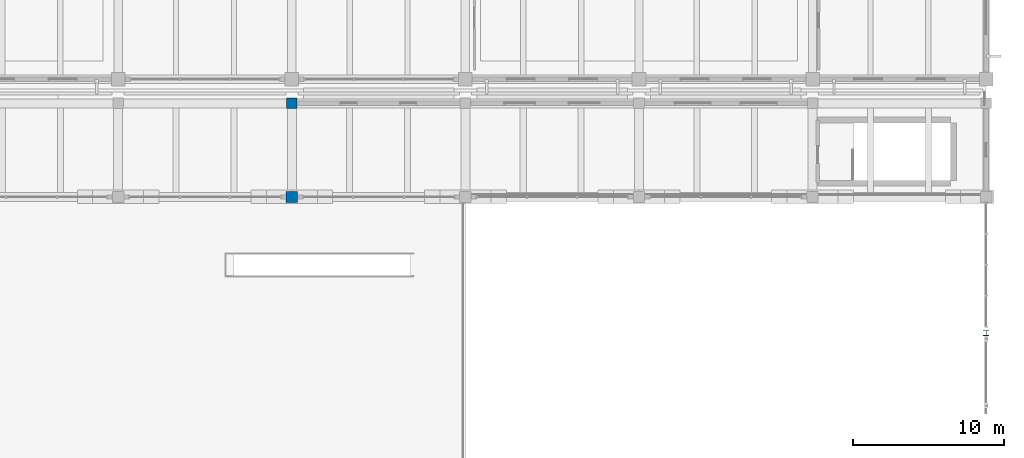
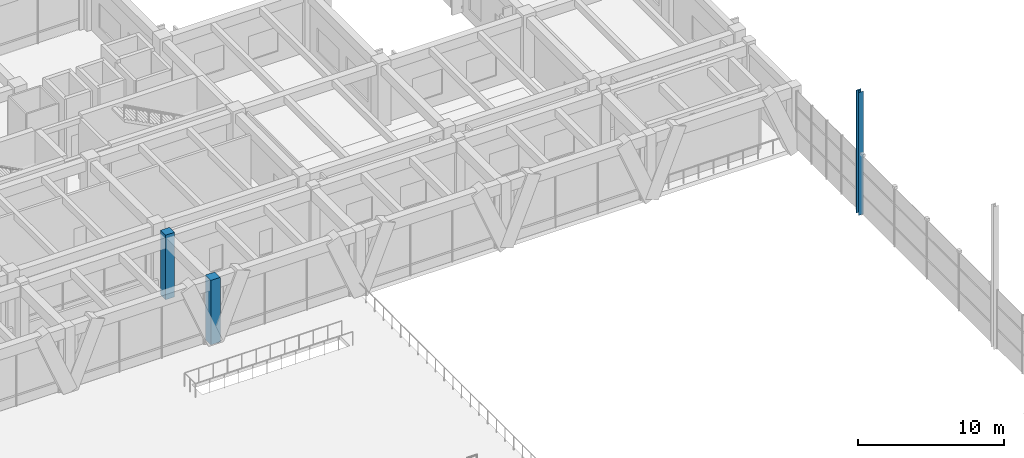
# One storey, part 5 of 148: 3 columns.
"""IFC4 building model written with IfcOpenShell, lengths in metres."""

from ifc_helpers import new_model, si_unit, direction, frame, origin, origin_2d, place, context, subcontext, project, spatial, rectangle, i_section, extrude, material, material_profile, profile_set, type_object, element, save


model = new_model("IFC4")

# Units and contexts
model_context = context("Model", 3, precision=1e-05, world=origin(), true_north=direction((0.0, 1.0)))
body_context = subcontext(model_context, "Body", "Model", "MODEL_VIEW")
ifc_project = project(units=[si_unit("LENGTHUNIT", "METRE"), si_unit("AREAUNIT", "SQUARE_METRE"), si_unit("VOLUMEUNIT", "CUBIC_METRE"), si_unit("PLANEANGLEUNIT", "RADIAN"), si_unit("MASSUNIT", "GRAM", prefix="KILO")], contexts=[model_context])

# Site, building, storey
site_placement = place(None, origin())
site = spatial("IfcSite", under=ifc_project, at=site_placement, CompositionType="ELEMENT")
building_placement = place(site_placement, origin())
building = spatial("IfcBuilding", under=site, at=building_placement, Name="Ologun Quay Terminus", CompositionType="ELEMENT")
storey_placement = place(building_placement, frame((0.0, 0.0, 8.39990234375)))
storey = spatial("IfcBuildingStorey", under=building, at=storey_placement, Name="L02", CompositionType="ELEMENT", Elevation=8.39990234375)

# Columns
ifc_material_1 = material(Name="Steel S355", Category="steel")
ifc_material_profile_1 = material_profile(ifc_material_1, i_section(OverallWidth=0.37060546875, OverallDepth=0.362060546875, WebThickness=0.01220703125, FlangeThickness=0.020751953125, at=origin_2d()), Name="UKC 356x368x153")
ifc_profile_set_1 = profile_set([ifc_material_profile_1], Name="Steel S355")
column_type_1 = type_object("IfcColumnType", Name="Gable Steel Wind Post UKC356", PredefinedType="COLUMN", material=ifc_profile_set_1)
column_1_placement = place(storey_placement, frame((184.0, 69.0, 0.0), z_axis=(0.0, 0.0, 1.0), x_axis=(1.0, 0.0, 0.0)))
element("IfcColumn", 1, at=column_1_placement, inside=storey, type_object=column_type_1, Name="C11 Gable Wind Post 17-Y69 L02", PredefinedType="COLUMN", context=body_context, shape_type="SweptSolid", body=[
    extrude(i_section(OverallWidth=0.37060546875, OverallDepth=0.362060546875, WebThickness=0.01220703125, FlangeThickness=0.020751953125, at=origin_2d()), origin(), (0.0, 0.0, 1.0), 10.27587890625),
])
ifc_material_2 = material(Name="Concrete C45/55", Category="concrete")
ifc_material_profile_2 = material_profile(ifc_material_2, rectangle(XDim=0.75, YDim=0.75, at=origin_2d()), Name="RC 750x750")
ifc_profile_set_2 = profile_set([ifc_material_profile_2], Name="Concrete C45/55")
column_type_2 = type_object("IfcColumnType", Name="Station Arch Pier Stem 750x750", PredefinedType="COLUMN", material=ifc_profile_set_2)
column_2_placement = place(storey_placement, frame((138.0, 78.0, 0.0), z_axis=(0.0, 0.0, 1.0), x_axis=(1.0, 0.0, 0.0)))
element("IfcColumn", 2, at=column_2_placement, inside=storey, type_object=column_type_2, Name="C5 Column 13/F L02", PredefinedType="COLUMN", context=body_context, shape_type="SweptSolid", body=[
    extrude(rectangle(XDim=0.75, YDim=0.75, at=origin_2d()), origin(), (0.0, 0.0, 1.0), 5.400146484375),
])
ifc_material_3 = material(Name="Concrete C40/50", Category="concrete")
ifc_material_profile_3 = material_profile(ifc_material_3, rectangle(XDim=0.699951171875, YDim=0.699951171875, at=origin_2d()), Name="RC 700x700")
ifc_profile_set_3 = profile_set([ifc_material_profile_3], Name="Concrete C40/50")
column_type_3 = type_object("IfcColumnType", Name="Station Concourse Column 700x700", PredefinedType="COLUMN", material=ifc_profile_set_3)
column_3_placement = place(storey_placement, frame((138.0, 84.199951171875, 0.0), z_axis=(0.0, 0.0, 1.0), x_axis=(1.0, 0.0, 0.0)))
element("IfcColumn", 3, at=column_3_placement, inside=storey, type_object=column_type_3, Name="C6 Column 13/G1 L02", PredefinedType="COLUMN", context=body_context, shape_type="SweptSolid", body=[
    extrude(rectangle(XDim=0.699951171875, YDim=0.699951171875, at=origin_2d()), origin(), (0.0, 0.0, 1.0), 5.400146484375),
])

save(model, "model.ifc")
